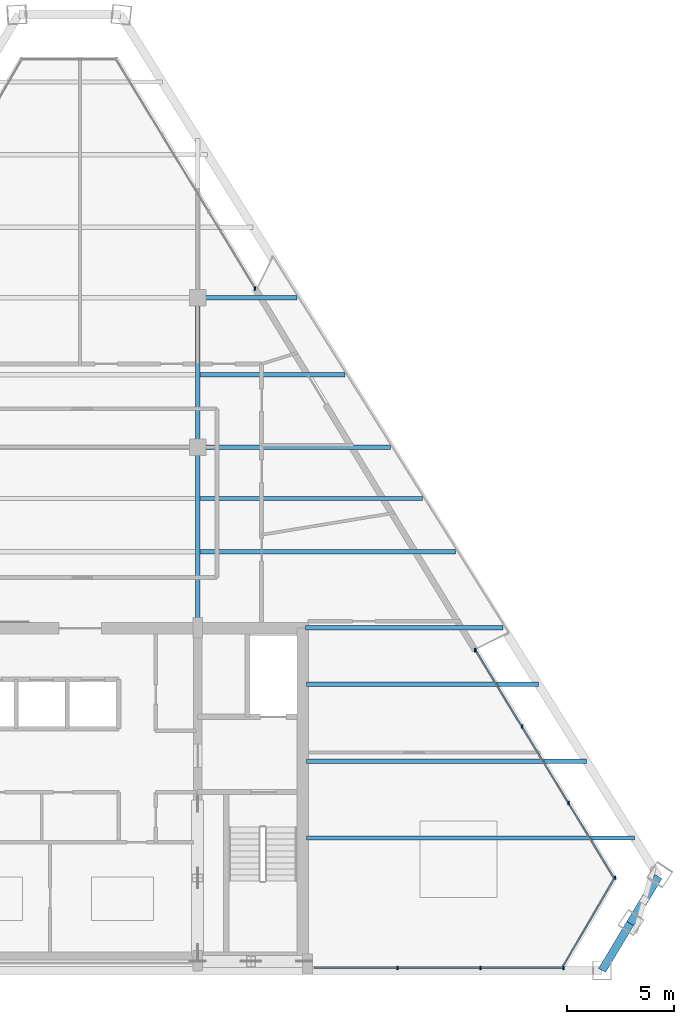
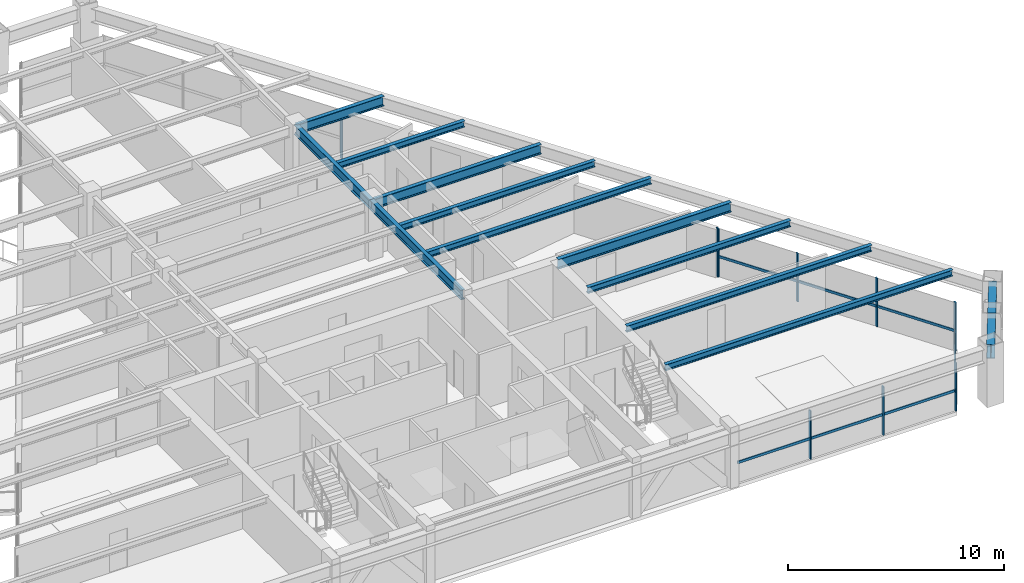
# One storey, part 5 of 13: 16 members, 13 beams, 4 elements without a shape of their own.
"""IFC4 building model written with IfcOpenShell, lengths in metres."""

from ifc_helpers import new_model, si_unit, direction, frame, origin, origin_2d, place, context, subcontext, project, spatial, rectangle, i_section, extrude, source, transform, mapped, material, material_profile, profile_set, type_object, type_shapes, element, aggregate, save


model = new_model("IFC4")

# Units and contexts
model_context = context("Model", 3, precision=1e-05, world=origin(), true_north=direction((0.0, 1.0)))
body_context = subcontext(model_context, "Body", "Model", "MODEL_VIEW")
ifc_project = project(units=[si_unit("LENGTHUNIT", "METRE"), si_unit("AREAUNIT", "SQUARE_METRE"), si_unit("VOLUMEUNIT", "CUBIC_METRE"), si_unit("PLANEANGLEUNIT", "RADIAN"), si_unit("MASSUNIT", "GRAM", prefix="KILO")], contexts=[model_context])

# Site, building, storey
site_placement = place(None, origin())
site = spatial("IfcSite", under=ifc_project, at=site_placement, CompositionType="ELEMENT")
building_placement = place(site_placement, origin())
building = spatial("IfcBuilding", under=site, at=building_placement, Name="Varnakhor Terracotta Tower", CompositionType="ELEMENT")
storey_placement = place(building_placement, frame((0.0, 0.0, 254.5)))
storey = spatial("IfcBuildingStorey", under=building, at=storey_placement, Name="L66", CompositionType="ELEMENT", Elevation=254.5)

# Beams
ifc_material_1 = material(Name="Steel S355", Category="steel")
ifc_material_profile_1 = material_profile(ifc_material_1, i_section(OverallWidth=0.214111328125, OverallDepth=0.549072265625, WebThickness=0.014892578125, FlangeThickness=0.02392578125, FilletRadius=0.01806640625, at=origin_2d()), Name="W21X93")
ifc_profile_set_1 = profile_set([ifc_material_profile_1], Name="Steel S355")
beam_type_1 = type_object("IfcBeamType", Name="BM-W21X93", PredefinedType="BEAM", material=ifc_profile_set_1)
shared_shape_1 = source(origin(), body_context, "Body", "SweptSolid", [
    extrude(i_section(OverallWidth=0.214111328125, OverallDepth=0.549072265625, WebThickness=0.014892578125, FlangeThickness=0.02392578125, FilletRadius=0.01806640625, at=origin_2d()), origin(), (0.0, 0.0, 1.0), 8.449951171875),
])
type_shapes(beam_type_1, [shared_shape_1])
beam_1_placement = place(storey_placement, frame((5.5, 16.050048828125, 2.87548828125), z_axis=(0.0, 1.0, 0.0), x_axis=(-1.0, 0.0, 0.0)))
element("IfcBeam", 1, at=beam_1_placement, inside=storey, type_object=beam_type_1, Name="L66 Primary Girder NS1-E", PredefinedType="BEAM", context=body_context, shape_type="MappedRepresentation", body=[
    mapped(shared_shape_1, transform((0.0, 0.0, 0.0), scale=1.0)),
])
shared_shape_2 = source(origin(), body_context, "Body", "SweptSolid", [
    extrude(i_section(OverallWidth=0.214111328125, OverallDepth=0.549072265625, WebThickness=0.014892578125, FlangeThickness=0.02392578125, FilletRadius=0.01806640625, at=origin_2d()), origin(), (0.0, 0.0, 1.0), 7.0),
])
beam_2_placement = place(storey_placement, frame((5.5, 24.5, 2.87548828125), z_axis=(0.0, 1.0, 0.0), x_axis=(-1.0, 0.0, 0.0)))
element("IfcBeam", 2, at=beam_2_placement, inside=storey, type_object=beam_type_1, Name="L66 Primary Girder NS2-E", PredefinedType="BEAM", context=body_context, shape_type="MappedRepresentation", body=[
    mapped(shared_shape_2, transform((0.0, 0.0, 0.0), scale=1.0)),
])
ifc_material_profile_2 = material_profile(ifc_material_1, i_section(OverallWidth=0.381103515625, OverallDepth=0.77294921875, WebThickness=0.01708984375, FlangeThickness=0.027099609375, FilletRadius=0.01806640625, at=origin_2d()), Name="W30X173")
ifc_profile_set_2 = profile_set([ifc_material_profile_2], Name="Steel S355")
beam_type_2 = type_object("IfcBeamType", Name="BM-W30X173", PredefinedType="BEAM", material=ifc_profile_set_2)
shared_shape_3 = source(origin(), body_context, "Body", "SweptSolid", [
    extrude(i_section(OverallWidth=0.381103515625, OverallDepth=0.77294921875, WebThickness=0.01708984375, FlangeThickness=0.027099609375, FilletRadius=0.01806640625, at=origin_2d()), origin(), (0.0, 0.0, 1.0), 2.5634765625),
])
for number, where, z_axis, x_axis, name in (
    (3, (24.439208984375, 0.0, 2.763427734375), (0.515895604547, 0.856651460753, 0.0), (-0.856651460753, 0.515895604547, 0.0), "L66 Perimeter Spandrel 2"),
    (4, (25.76171875, 2.196044921875, 2.763427734375), (0.515825709996, 0.856693549005, 0.0), (-0.856693549005, 0.515825709996, 0.0), "L66 Perimeter Spandrel 3"),
):
    element("IfcBeam", number, at=place(storey_placement, frame(where, z_axis=z_axis, x_axis=x_axis)), inside=storey, type_object=beam_type_2, Name=name, PredefinedType="BEAM", context=body_context, shape_type="MappedRepresentation", body=[
        mapped(shared_shape_3, transform((0.0, 0.0, 0.0), scale=1.0)),
    ])
shared_shape_4 = source(origin(), body_context, "Body", "SweptSolid", [
    extrude(i_section(OverallWidth=0.214111328125, OverallDepth=0.549072265625, WebThickness=0.014892578125, FlangeThickness=0.02392578125, FilletRadius=0.01806640625, at=origin_2d()), origin(), (0.0, 0.0, 1.0), 9.254638671875),
])
beam_3_placement = place(storey_placement, frame((10.550048828125, 16.050048828125, 2.87548828125), z_axis=(1.0, 0.0, 0.0), x_axis=(0.0, 1.0, 0.0)))
element("IfcBeam", 5, at=beam_3_placement, inside=storey, type_object=beam_type_1, Name="L66 Wing Girder E", PredefinedType="BEAM", context=body_context, shape_type="MappedRepresentation", body=[
    mapped(shared_shape_4, transform((0.0, 0.0, 0.0), scale=1.0)),
])
shared_shape_5 = source(origin(), body_context, "Body", "SweptSolid", [
    extrude(i_section(OverallWidth=0.214111328125, OverallDepth=0.549072265625, WebThickness=0.014892578125, FlangeThickness=0.02392578125, FilletRadius=0.01806640625, at=origin_2d()), origin(), (0.0, 0.0, 1.0), 9.02880859375),
])
beam_4_placement = place(storey_placement, frame((5.5, 24.5, 2.87548828125), z_axis=(1.0, 0.0, 0.0), x_axis=(0.0, 1.0, 0.0)))
element("IfcBeam", 6, at=beam_4_placement, inside=storey, type_object=beam_type_1, Name="L66 Primary Girder EW2-3", PredefinedType="BEAM", context=body_context, shape_type="MappedRepresentation", body=[
    mapped(shared_shape_5, transform((0.0, 0.0, 0.0), scale=1.0)),
])
shared_shape_6 = source(origin(), body_context, "Body", "SweptSolid", [
    extrude(i_section(OverallWidth=0.214111328125, OverallDepth=0.549072265625, WebThickness=0.014892578125, FlangeThickness=0.02392578125, FilletRadius=0.01806640625, at=origin_2d()), origin(), (0.0, 0.0, 1.0), 4.657958984375),
])
beam_5_placement = place(storey_placement, frame((5.5, 31.5, 2.87548828125), z_axis=(1.0, 0.0, 0.0), x_axis=(0.0, 1.0, 0.0)))
element("IfcBeam", 7, at=beam_5_placement, inside=storey, type_object=beam_type_1, Name="L66 Primary Girder EW3-3", PredefinedType="BEAM", context=body_context, shape_type="MappedRepresentation", body=[
    mapped(shared_shape_6, transform((0.0, 0.0, 0.0), scale=1.0)),
])
ifc_material_profile_3 = material_profile(ifc_material_1, i_section(OverallWidth=0.202880859375, OverallDepth=0.346923828125, WebThickness=0.0078125, FlangeThickness=0.013427734375, FilletRadius=0.01806640625, at=origin_2d()), Name="W14X43")
ifc_profile_set_3 = profile_set([ifc_material_profile_3], Name="Steel S355")
beam_type_3 = type_object("IfcBeamType", Name="JST-W14X43", PredefinedType="JOIST", material=ifc_profile_set_3)
shared_shape_7 = source(origin(), body_context, "Body", "SweptSolid", [
    extrude(i_section(OverallWidth=0.202880859375, OverallDepth=0.346923828125, WebThickness=0.0078125, FlangeThickness=0.013427734375, FilletRadius=0.01806640625, at=origin_2d()), origin(), (0.0, 0.0, 1.0), 15.35498046875),
])
beam_6_placement = place(storey_placement, frame((10.60009765625, 6.199951171875, 2.9765625), z_axis=(1.0, 0.0, 0.0), x_axis=(0.0, 1.0, 0.0)))
element("IfcBeam", 8, at=beam_6_placement, inside=storey, type_object=beam_type_3, Name="L66 Floor Joist E1", PredefinedType="JOIST", context=body_context, shape_type="MappedRepresentation", body=[
    mapped(shared_shape_7, transform((0.0, 0.0, 0.0), scale=1.0)),
])
shared_shape_8 = source(origin(), body_context, "Body", "SweptSolid", [
    extrude(i_section(OverallWidth=0.202880859375, OverallDepth=0.346923828125, WebThickness=0.0078125, FlangeThickness=0.013427734375, FilletRadius=0.01806640625, at=origin_2d()), origin(), (0.0, 0.0, 1.0), 13.107177734375),
])
beam_7_placement = place(storey_placement, frame((10.60009765625, 9.800048828125, 2.9765625), z_axis=(1.0, 0.0, 0.0), x_axis=(0.0, 1.0, 0.0)))
element("IfcBeam", 9, at=beam_7_placement, inside=storey, type_object=beam_type_3, Name="L66 Floor Joist E2", PredefinedType="JOIST", context=body_context, shape_type="MappedRepresentation", body=[
    mapped(shared_shape_8, transform((0.0, 0.0, 0.0), scale=1.0)),
])
shared_shape_9 = source(origin(), body_context, "Body", "SweptSolid", [
    extrude(i_section(OverallWidth=0.202880859375, OverallDepth=0.346923828125, WebThickness=0.0078125, FlangeThickness=0.013427734375, FilletRadius=0.01806640625, at=origin_2d()), origin(), (0.0, 0.0, 1.0), 10.859375),
])
beam_8_placement = place(storey_placement, frame((10.60009765625, 13.39990234375, 2.9765625), z_axis=(1.0, 0.0, 0.0), x_axis=(0.0, 1.0, 0.0)))
element("IfcBeam", 10, at=beam_8_placement, inside=storey, type_object=beam_type_3, Name="L66 Floor Joist E3", PredefinedType="JOIST", context=body_context, shape_type="MappedRepresentation", body=[
    mapped(shared_shape_9, transform((0.0, 0.0, 0.0), scale=1.0)),
])
shared_shape_10 = source(origin(), body_context, "Body", "SweptSolid", [
    extrude(i_section(OverallWidth=0.202880859375, OverallDepth=0.346923828125, WebThickness=0.0078125, FlangeThickness=0.013427734375, FilletRadius=0.01806640625, at=origin_2d()), origin(), (0.0, 0.0, 1.0), 11.985107421875),
])
beam_9_placement = place(storey_placement, frame((5.60302734375, 19.60009765625, 2.9765625), z_axis=(1.0, 0.0, 0.0), x_axis=(0.0, 1.0, 0.0)))
element("IfcBeam", 11, at=beam_9_placement, inside=storey, type_object=beam_type_3, Name="L66 Composite Floor Joist 4-3", PredefinedType="JOIST", context=body_context, shape_type="MappedRepresentation", body=[
    mapped(shared_shape_10, transform((0.0, 0.0, 0.0), scale=1.0)),
])
shared_shape_11 = source(origin(), body_context, "Body", "SweptSolid", [
    extrude(i_section(OverallWidth=0.202880859375, OverallDepth=0.346923828125, WebThickness=0.0078125, FlangeThickness=0.013427734375, FilletRadius=0.01806640625, at=origin_2d()), origin(), (0.0, 0.0, 1.0), 10.424072265625),
])
beam_10_placement = place(storey_placement, frame((5.60302734375, 22.10009765625, 2.9765625), z_axis=(1.0, 0.0, 0.0), x_axis=(0.0, 1.0, 0.0)))
element("IfcBeam", 12, at=beam_10_placement, inside=storey, type_object=beam_type_3, Name="L66 Composite Floor Joist 5-3", PredefinedType="JOIST", context=body_context, shape_type="MappedRepresentation", body=[
    mapped(shared_shape_11, transform((0.0, 0.0, 0.0), scale=1.0)),
])
shared_shape_12 = source(origin(), body_context, "Body", "SweptSolid", [
    extrude(i_section(OverallWidth=0.202880859375, OverallDepth=0.346923828125, WebThickness=0.0078125, FlangeThickness=0.013427734375, FilletRadius=0.01806640625, at=origin_2d()), origin(), (0.0, 0.0, 1.0), 6.802734375),
])
beam_11_placement = place(storey_placement, frame((5.60302734375, 27.89990234375, 2.9765625), z_axis=(1.0, 0.0, 0.0), x_axis=(0.0, 1.0, 0.0)))
element("IfcBeam", 13, at=beam_11_placement, inside=storey, type_object=beam_type_3, Name="L66 Composite Floor Joist 6-3", PredefinedType="JOIST", context=body_context, shape_type="MappedRepresentation", body=[
    mapped(shared_shape_12, transform((0.0, 0.0, 0.0), scale=1.0)),
])

# Curtain wall, members
ifc_material_2 = material(Name="Anodised Aluminium Curtain Wall System", Category="aluminium")
curtain_wall_type = type_object("IfcCurtainWallType", Name="CW-SYS-HOTEL-LOGGIA", PredefinedType="NOTDEFINED", material=ifc_material_2)
curtain_wall_1_placement = place(storey_placement, origin())
curtain_wall_1 = element("IfcCurtainWall", 14, at=curtain_wall_1_placement, inside=storey, type_object=curtain_wall_type, Name="L66 E Facet Curtain Wall 2", PredefinedType="NOTDEFINED")
ifc_material_3 = material(Name="Anodised Aluminium 6063-T6", Category="aluminium")
ifc_material_profile_4 = material_profile(ifc_material_3, rectangle(XDim=0.06494140625, YDim=0.159912109375, at=origin_2d()), Name="ALU MULLION 65x160")
ifc_profile_set_4 = profile_set([ifc_material_profile_4], Name="Anodised Aluminium 6063-T6")
member_type_1 = type_object("IfcMemberType", Name="CWM-04", PredefinedType="MULLION", material=ifc_profile_set_4)
shared_shape_13 = source(origin(), body_context, "Body", "SweptSolid", [
    extrude(rectangle(XDim=0.06494140625, YDim=0.159912109375, at=origin_2d()), origin(), (0.0, 0.0, 1.0), 2.72998046875),
])
member_1_placement = place(storey_placement, frame((18.52099609375, 14.989013671875, 0.0), z_axis=(0.0, 0.0, 1.0), x_axis=(1.0, 0.0, 0.0)))
member_1 = element("IfcMember", 15, at=member_1_placement, type_object=member_type_1, Name="L66 E Facet Curtain Wall 2 Mullion 1", PredefinedType="MULLION", context=body_context, shape_type="MappedRepresentation", body=[
    mapped(shared_shape_13, transform((0.0, 0.0, 0.0), scale=1.0)),
])
member_2_placement = place(storey_placement, frame((20.694580078125, 11.4150390625, 0.0), z_axis=(0.0, 0.0, 1.0), x_axis=(1.0, 0.0, 0.0)))
member_2 = element("IfcMember", 16, at=member_2_placement, type_object=member_type_1, Name="L66 E Facet Curtain Wall 2 Mullion 2", PredefinedType="MULLION", context=body_context, shape_type="MappedRepresentation", body=[
    mapped(shared_shape_13, transform((0.0, 0.0, 0.0), scale=1.0)),
])
member_3_placement = place(storey_placement, frame((22.868408203125, 7.84130859375, 0.0), z_axis=(0.0, 0.0, 1.0), x_axis=(1.0, 0.0, 0.0)))
member_3 = element("IfcMember", 17, at=member_3_placement, type_object=member_type_1, Name="L66 E Facet Curtain Wall 2 Mullion 3", PredefinedType="MULLION", context=body_context, shape_type="MappedRepresentation", body=[
    mapped(shared_shape_13, transform((0.0, 0.0, 0.0), scale=1.0)),
])

# Curtain wall, member
curtain_wall_2_placement = place(storey_placement, origin())
curtain_wall_2 = element("IfcCurtainWall", 18, at=curtain_wall_2_placement, inside=storey, type_object=curtain_wall_type, Name="L66 E Facet Curtain Wall 1", PredefinedType="NOTDEFINED")
member_4_placement = place(storey_placement, frame((8.19189453125, 31.93310546875, 0.0), z_axis=(0.0, 0.0, 1.0), x_axis=(1.0, 0.0, 0.0)))
member_4 = element("IfcMember", 19, at=member_4_placement, type_object=member_type_1, Name="L66 E Loggia Jamb Closure Mullion 1", PredefinedType="MULLION", context=body_context, shape_type="MappedRepresentation", body=[
    mapped(shared_shape_13, transform((0.0, 0.0, 0.0), scale=1.0)),
])
aggregate(curtain_wall_2, [member_4])

# Member
member_5_placement = place(storey_placement, frame((18.48828125, 15.004150390625, 0.0), z_axis=(0.0, 0.0, 1.0), x_axis=(1.0, 0.0, 0.0)))
member_5 = element("IfcMember", 20, at=member_5_placement, type_object=member_type_1, Name="L66 E Loggia Jamb Closure Mullion 2", PredefinedType="MULLION", context=body_context, shape_type="MappedRepresentation", body=[
    mapped(shared_shape_13, transform((0.0, 0.0, 0.0), scale=1.0)),
])

# Curtain wall, member
curtain_wall_3_placement = place(storey_placement, origin())
curtain_wall_3 = element("IfcCurtainWall", 21, at=curtain_wall_3_placement, inside=storey, type_object=curtain_wall_type, Name="L66 Facet Curtain Wall 4", PredefinedType="NOTDEFINED")
member_6_placement = place(storey_placement, frame((25.04150390625, 4.338623046875, 0.0), z_axis=(0.0, 0.0, 1.0), x_axis=(1.0, 0.0, 0.0)))
member_6 = element("IfcMember", 22, at=member_6_placement, type_object=member_type_1, Name="L66 Facet Curtain Wall 4 Mullion 1", PredefinedType="MULLION", context=body_context, shape_type="MappedRepresentation", body=[
    mapped(shared_shape_13, transform((0.0, 0.0, 0.0), scale=1.0)),
])

# Curtain wall, members
curtain_wall_4_placement = place(storey_placement, origin())
curtain_wall_4 = element("IfcCurtainWall", 23, at=curtain_wall_4_placement, inside=storey, type_object=curtain_wall_type, Name="L66 South Wing Curtain Wall SSE", PredefinedType="NOTDEFINED")
member_7_placement = place(storey_placement, frame((22.63720703125, 0.1201171875, 0.0), z_axis=(0.0, 0.0, 1.0), x_axis=(1.0, 0.0, 0.0)))
member_7 = element("IfcMember", 24, at=member_7_placement, type_object=member_type_1, Name="L66 South Wing Curtain Wall SSE Mullion 1", PredefinedType="MULLION", context=body_context, shape_type="MappedRepresentation", body=[
    mapped(shared_shape_13, transform((0.0, 0.0, 0.0), scale=1.0)),
])
member_8_placement = place(storey_placement, frame((18.748046875, 0.1201171875, 0.0), z_axis=(0.0, 0.0, 1.0), x_axis=(1.0, 0.0, 0.0)))
member_8 = element("IfcMember", 25, at=member_8_placement, type_object=member_type_1, Name="L66 South Wing Curtain Wall SSE Mullion 2", PredefinedType="MULLION", context=body_context, shape_type="MappedRepresentation", body=[
    mapped(shared_shape_13, transform((0.0, 0.0, 0.0), scale=1.0)),
])
member_9_placement = place(storey_placement, frame((14.859130859375, 0.1201171875, 0.0), z_axis=(0.0, 0.0, 1.0), x_axis=(1.0, 0.0, 0.0)))
member_9 = element("IfcMember", 26, at=member_9_placement, type_object=member_type_1, Name="L66 South Wing Curtain Wall SSE Mullion 3", PredefinedType="MULLION", context=body_context, shape_type="MappedRepresentation", body=[
    mapped(shared_shape_13, transform((0.0, 0.0, 0.0), scale=1.0)),
])

# Member
ifc_material_profile_5 = material_profile(ifc_material_3, rectangle(XDim=0.06494140625, YDim=0.14501953125, at=origin_2d()), Name="ALU TRANSOM 65x145")
ifc_profile_set_5 = profile_set([ifc_material_profile_5], Name="Anodised Aluminium 6063-T6")
member_type_2 = type_object("IfcMemberType", Name="CWT-04", PredefinedType="USERDEFINED", material=ifc_profile_set_5)
shared_shape_14 = source(origin(), body_context, "Body", "SweptSolid", [
    extrude(rectangle(XDim=0.06494140625, YDim=0.14501953125, at=origin_2d()), origin(), (0.0, 0.0, 1.0), 4.18310546875),
])
member_10_placement = place(storey_placement, frame((18.52099609375, 14.989013671875, 1.146484375), z_axis=(0.519619181873, -0.854397978596, 0.0), x_axis=(0.854397978596, 0.519619181873, 0.0)))
member_10 = element("IfcMember", 27, at=member_10_placement, type_object=member_type_2, Name="L66 E Facet Curtain Wall 2 Transom 1", ObjectType="TRANSOM", PredefinedType="USERDEFINED", context=body_context, shape_type="MappedRepresentation", body=[
    mapped(shared_shape_14, transform((0.0, 0.0, 0.0), scale=1.0)),
])

member_11_placement = place(storey_placement, frame((22.868408203125, 7.84130859375, 1.146484375), z_axis=(0.519661785784, -0.854372066722, 0.0), x_axis=(0.854372066722, 0.519661785784, 0.0)))
member_11 = element("IfcMember", 28, at=member_11_placement, type_object=member_type_2, Name="L66 E Facet Curtain Wall 2 Transom 3", ObjectType="TRANSOM", PredefinedType="USERDEFINED", context=body_context, shape_type="MappedRepresentation", body=[
    mapped(shared_shape_14, transform((0.0, 0.0, 0.0), scale=1.0)),
])

shared_shape_15 = source(origin(), body_context, "Body", "SweptSolid", [
    extrude(rectangle(XDim=0.06494140625, YDim=0.14501953125, at=origin_2d()), origin(), (0.0, 0.0, 1.0), 4.182861328125),
])
member_12_placement = place(storey_placement, frame((20.694580078125, 11.4150390625, 1.146484375), z_axis=(0.519687698988, -0.854356304782, 0.0), x_axis=(0.854356304782, 0.519687698988, 0.0)))
member_12 = element("IfcMember", 29, at=member_12_placement, type_object=member_type_2, Name="L66 E Facet Curtain Wall 2 Transom 2", ObjectType="TRANSOM", PredefinedType="USERDEFINED", context=body_context, shape_type="MappedRepresentation", body=[
    mapped(shared_shape_15, transform((0.0, 0.0, 0.0), scale=1.0)),
])

aggregate(curtain_wall_1, [member_1, member_10, member_2, member_12, member_3, member_11, member_5])

shared_shape_16 = source(origin(), body_context, "Body", "SweptSolid", [
    extrude(rectangle(XDim=0.06494140625, YDim=0.14501953125, at=origin_2d()), origin(), (0.0, 0.0, 1.0), 4.924072265625),
])
member_13_placement = place(storey_placement, frame((25.04150390625, 4.338623046875, 1.146484375), z_axis=(-0.504243995941, -0.863561226873, 0.0), x_axis=(0.863561226873, -0.504243995941, 0.0)))
member_13 = element("IfcMember", 30, at=member_13_placement, type_object=member_type_2, Name="L66 Facet Curtain Wall 4 Transom 1", ObjectType="TRANSOM", PredefinedType="USERDEFINED", context=body_context, shape_type="MappedRepresentation", body=[
    mapped(shared_shape_16, transform((0.0, 0.0, 0.0), scale=1.0)),
])

aggregate(curtain_wall_3, [member_6, member_13])

shared_shape_17 = source(origin(), body_context, "Body", "SweptSolid", [
    extrude(rectangle(XDim=0.06494140625, YDim=0.14501953125, at=origin_2d()), origin(), (0.0, 0.0, 1.0), 3.88916015625),
])
member_14_placement = place(storey_placement, frame((22.63720703125, 0.1201171875, 1.146484375), z_axis=(-1.0, 0.0, 0.0), x_axis=(0.0, -1.0, 0.0)))
member_14 = element("IfcMember", 31, at=member_14_placement, type_object=member_type_2, Name="L66 South Wing Curtain Wall SSE Transom 1", ObjectType="TRANSOM", PredefinedType="USERDEFINED", context=body_context, shape_type="MappedRepresentation", body=[
    mapped(shared_shape_17, transform((0.0, 0.0, 0.0), scale=1.0)),
])

member_15_placement = place(storey_placement, frame((14.859130859375, 0.1201171875, 1.146484375), z_axis=(-1.0, 0.0, 0.0), x_axis=(0.0, -1.0, 0.0)))
member_15 = element("IfcMember", 32, at=member_15_placement, type_object=member_type_2, Name="L66 South Wing Curtain Wall SSE Transom 3", ObjectType="TRANSOM", PredefinedType="USERDEFINED", context=body_context, shape_type="MappedRepresentation", body=[
    mapped(shared_shape_17, transform((0.0, 0.0, 0.0), scale=1.0)),
])

shared_shape_18 = source(origin(), body_context, "Body", "SweptSolid", [
    extrude(rectangle(XDim=0.06494140625, YDim=0.14501953125, at=origin_2d()), origin(), (0.0, 0.0, 1.0), 3.888916015625),
])
member_16_placement = place(storey_placement, frame((18.748046875, 0.1201171875, 1.146484375), z_axis=(-1.0, 0.0, 0.0), x_axis=(0.0, -1.0, 0.0)))
member_16 = element("IfcMember", 33, at=member_16_placement, type_object=member_type_2, Name="L66 South Wing Curtain Wall SSE Transom 2", ObjectType="TRANSOM", PredefinedType="USERDEFINED", context=body_context, shape_type="MappedRepresentation", body=[
    mapped(shared_shape_18, transform((0.0, 0.0, 0.0), scale=1.0)),
])

aggregate(curtain_wall_4, [member_7, member_14, member_8, member_16, member_9, member_15])

save(model, "model.ifc")
